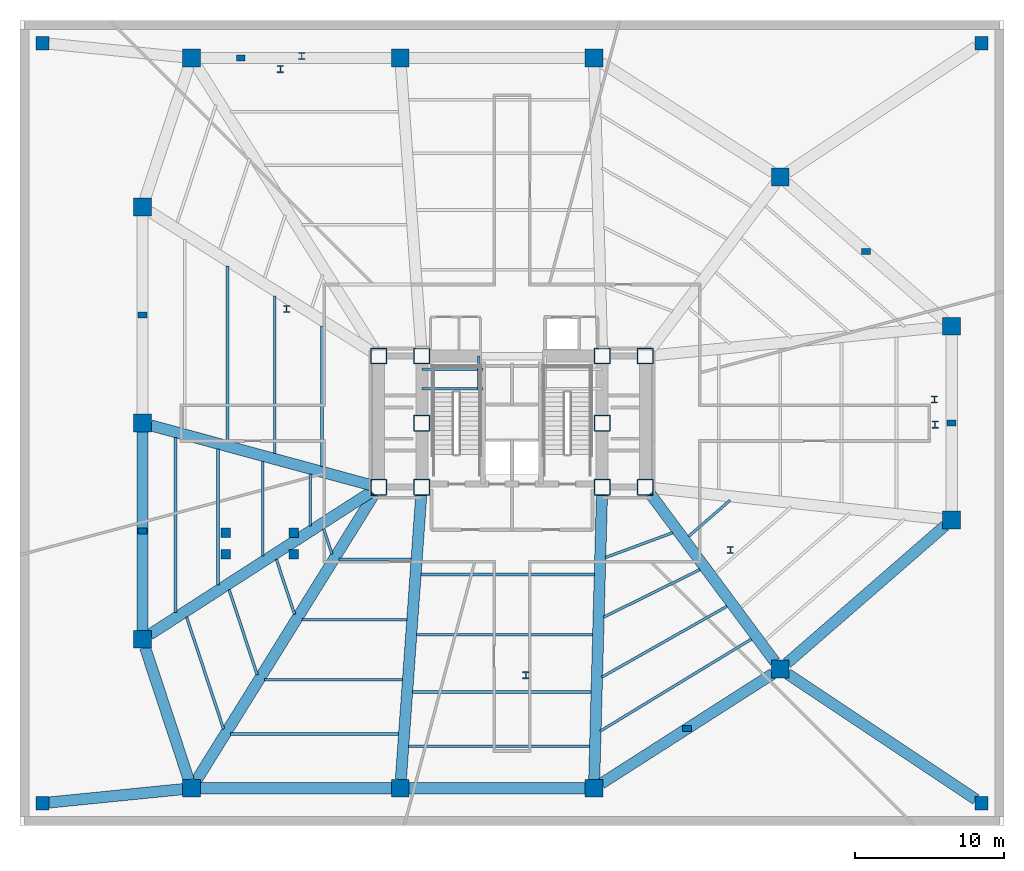
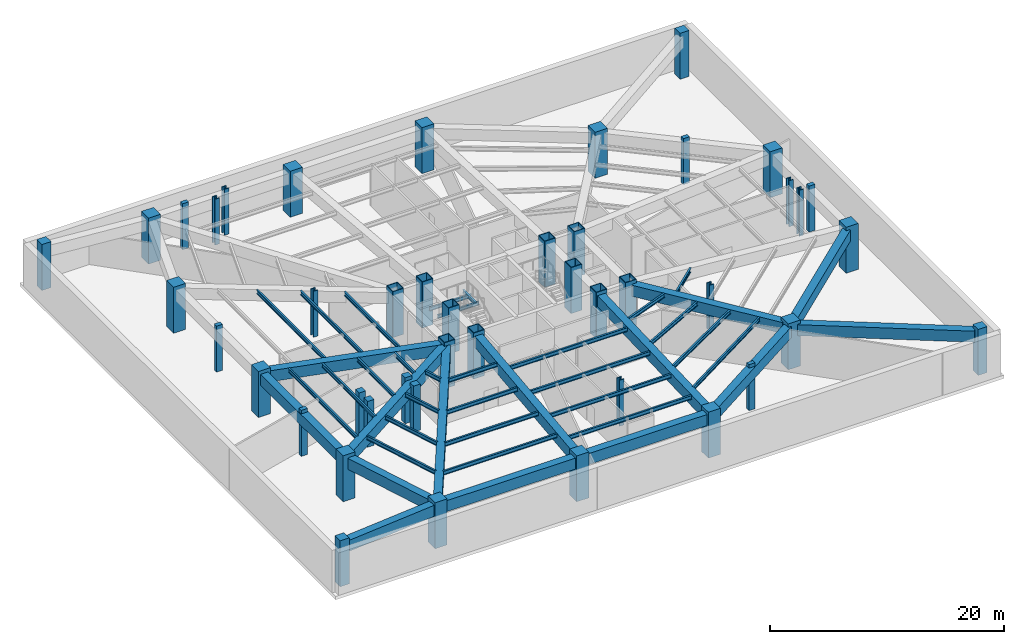
# One storey, part 1 of 6: 44 columns, 41 beams.
"""IFC4 building model written with IfcOpenShell, lengths in metres."""

from ifc_helpers import new_model, si_unit, direction, frame, origin, origin_2d, place, context, subcontext, project, spatial, rectangle, hollow_rectangle, i_section, extrude, material, material_profile, profile_set, type_object, element, save


model = new_model("IFC4")

# Units and contexts
model_context = context("Model", 3, precision=1e-05, world=origin(), true_north=direction((0.0, 1.0)))
body_context = subcontext(model_context, "Body", "Model", "MODEL_VIEW")
ifc_project = project(units=[si_unit("LENGTHUNIT", "METRE"), si_unit("AREAUNIT", "SQUARE_METRE"), si_unit("VOLUMEUNIT", "CUBIC_METRE"), si_unit("PLANEANGLEUNIT", "RADIAN"), si_unit("MASSUNIT", "GRAM", prefix="KILO")], contexts=[model_context])

# Site, building, storey
site_placement = place(None, origin())
site = spatial("IfcSite", under=ifc_project, at=site_placement, CompositionType="ELEMENT")
building_placement = place(site_placement, origin())
building = spatial("IfcBuilding", under=site, at=building_placement, Name="Rocaltana Carrier Exchange", CompositionType="ELEMENT")
storey_placement = place(building_placement, frame((0.0, 0.0, -4.800048828125)))
storey = spatial("IfcBuildingStorey", under=building, at=storey_placement, Name="Upper Basement", CompositionType="ELEMENT", Elevation=-4.800048828125)

# Columns
ifc_material_1 = material(Name="Concrete C50/60", Category="concrete")
ifc_material_profile_1 = material_profile(ifc_material_1, rectangle(XDim=0.89990234375, YDim=0.89990234375, at=origin_2d()), Name="RC-COL-900X900")
ifc_profile_set_1 = profile_set([ifc_material_profile_1], Name="Concrete C50/60")
column_type_1 = type_object("IfcColumnType", Name="Basement RC Column 900", PredefinedType="COLUMN", material=ifc_profile_set_1)
for number, where, z_axis, x_axis, name in (
    (1, (-31.5, -25.5, 0.0), (0.0, 0.0, 1.0), (1.0, 0.0, 0.0), "Upper Basement Basement Column BC01"),
    (2, (31.5, -25.5, 0.0), (0.0, 0.0, 1.0), (1.0, 0.0, 0.0), "Upper Basement Basement Column BC02"),
    (3, (31.5, 25.5, 0.0), (0.0, 0.0, 1.0), (1.0, 0.0, 0.0), "Upper Basement Basement Column BC03"),
    (4, (-31.5, 25.5, 0.0), (0.0, 0.0, 1.0), (1.0, 0.0, 0.0), "Upper Basement Basement Column BC04"),
):
    element("IfcColumn", number, at=place(storey_placement, frame(where, z_axis=z_axis, x_axis=x_axis)), inside=storey, type_object=column_type_1, Name=name, PredefinedType="COLUMN", context=body_context, shape_type="SweptSolid", body=[
        extrude(rectangle(XDim=0.89990234375, YDim=0.89990234375, at=origin_2d()), origin(), (0.0, 0.0, 1.0), 4.800048828125),
    ])
ifc_material_2 = material(Name="Concrete C60/75", Category="concrete")
ifc_material_profile_2 = material_profile(ifc_material_2, rectangle(XDim=0.60009765625, YDim=0.39990234375, at=origin_2d()), Name="RC-PIL-600X400")
ifc_profile_set_2 = profile_set([ifc_material_profile_2], Name="Concrete C60/75")
column_type_2 = type_object("IfcColumnType", Name="Concourse Boundary Pilaster 600x400", PredefinedType="PILASTER", material=ifc_profile_set_2)
for number, where, z_axis, x_axis, name in (
    (5, (11.75, -20.5, 0.0), (0.0, 0.0, 1.0), (1.0, 0.0, 0.0), "Upper Basement Concourse Pilaster PL01"),
    (6, (29.5, 0.0, 0.0), (0.0, 0.0, 1.0), (1.0, 0.0, 0.0), "Upper Basement Concourse Pilaster PL02"),
    (7, (-18.199951171875, 24.5, 0.0), (0.0, 0.0, 1.0), (1.0, 0.0, 0.0), "Upper Basement Concourse Pilaster PL03"),
    (8, (23.75, 11.5, 0.0), (0.0, 0.0, 1.0), (1.0, 0.0, 0.0), "Upper Basement Concourse Pilaster PL04"),
    (9, (-24.800048828125, 7.25, 0.0), (0.0, 0.0, 1.0), (1.0, 0.0, 0.0), "Upper Basement Concourse Pilaster PL05"),
    (10, (-24.800048828125, -7.25, 0.0), (0.0, 0.0, 1.0), (1.0, 0.0, 0.0), "Upper Basement Concourse Pilaster PL06"),
):
    element("IfcColumn", number, at=place(storey_placement, frame(where, z_axis=z_axis, x_axis=x_axis)), inside=storey, type_object=column_type_2, Name=name, PredefinedType="PILASTER", context=body_context, shape_type="SweptSolid", body=[
        extrude(rectangle(XDim=0.60009765625, YDim=0.39990234375, at=origin_2d()), origin(), (0.0, 0.0, 1.0), 4.800048828125),
    ])
ifc_material_3 = material(Name="Steel S460", Category="steel")
ifc_material_profile_3 = material_profile(ifc_material_3, hollow_rectangle(XDim=1.10009765625, YDim=1.10009765625, WallThickness=0.070068359375, InnerFilletRadius=0.02001953125, OuterFilletRadius=0.0400390625, at=origin_2d()), Name="BOX1100X1100X70")
ifc_profile_set_3 = profile_set([ifc_material_profile_3], Name="Steel S460")
column_type_3 = type_object("IfcColumnType", Name="Core Mega-Column BOX1100", PredefinedType="COLUMN", material=ifc_profile_set_3)
for number, where, z_axis, x_axis, name in (
    (11, (-6.050048828125, 4.5, 0.0), (0.0, 0.0, 1.0), (1.0, 0.0, 0.0), "Upper Basement Core Mega-Column MC1"),
    (12, (6.050048828125, 4.5, 0.0), (0.0, 0.0, 1.0), (1.0, 0.0, 0.0), "Upper Basement Core Mega-Column MC2"),
    (13, (-6.050048828125, 0.0, 0.0), (0.0, 0.0, 1.0), (1.0, 0.0, 0.0), "Upper Basement Core Mega-Column MC3"),
    (14, (6.050048828125, 0.0, 0.0), (0.0, 0.0, 1.0), (1.0, 0.0, 0.0), "Upper Basement Core Mega-Column MC4"),
    (15, (-6.050048828125, -4.300048828125, 0.0), (0.0, 0.0, 1.0), (1.0, 0.0, 0.0), "Upper Basement Core Mega-Column MC5"),
    (16, (6.050048828125, -4.300048828125, 0.0), (0.0, 0.0, 1.0), (1.0, 0.0, 0.0), "Upper Basement Core Mega-Column MC6"),
    (17, (-8.949951171875, 4.5, 0.0), (0.0, 0.0, 1.0), (1.0, 0.0, 0.0), "Upper Basement West Core Column WC1"),
    (18, (-8.949951171875, -4.300048828125, 0.0), (0.0, 0.0, 1.0), (1.0, 0.0, 0.0), "Upper Basement West Core Column WC2"),
    (19, (8.949951171875, 4.5, 0.0), (0.0, 0.0, 1.0), (1.0, 0.0, 0.0), "Upper Basement East Core Column EC1"),
    (20, (8.949951171875, -4.300048828125, 0.0), (0.0, 0.0, 1.0), (1.0, 0.0, 0.0), "Upper Basement East Core Column EC2"),
):
    element("IfcColumn", number, at=place(storey_placement, frame(where, z_axis=z_axis, x_axis=x_axis)), inside=storey, type_object=column_type_3, Name=name, PredefinedType="COLUMN", context=body_context, shape_type="SweptSolid", body=[
        extrude(hollow_rectangle(XDim=1.10009765625, YDim=1.10009765625, WallThickness=0.070068359375, InnerFilletRadius=0.02001953125, OuterFilletRadius=0.0400390625, at=origin_2d()), origin(), (0.0, 0.0, 1.0), 4.800048828125),
    ])
ifc_material_4 = material(Name="Steel S460", Category="steel")
ifc_material_profile_4 = material_profile(ifc_material_4, i_section(OverallWidth=0.431884765625, OverallDepth=0.498046875, WebThickness=0.0556640625, FlangeThickness=0.0888671875, FilletRadius=0.02490234375, at=origin_2d()), Name="W14X500")
ifc_profile_set_4 = profile_set([ifc_material_profile_4], Name="Steel S460")
column_type_4 = type_object("IfcColumnType", Name="Perimeter Column W14X500", PredefinedType="COLUMN", material=ifc_profile_set_4)
for number, where, z_axis, x_axis, name in (
    (21, (28.340576171875, 1.5849609375, 0.0), (0.0, 0.0, 1.0), (1.0, 0.0, 0.0), "Upper Basement Podium Tower Mega-Column PT01"),
    (22, (-14.106201171875, 24.631591796875, 0.0), (0.0, 0.0, 1.0), (1.0, 0.0, 0.0), "Upper Basement Podium Tower Mega-Column PT04"),
    (23, (-15.54296875, 23.751220703125, 0.0), (0.0, 0.0, 1.0), (1.0, 0.0, 0.0), "Upper Basement Podium Tower Mega-Column PT05"),
    (24, (-15.121337890625, 7.65673828125, 0.0), (0.0, 0.0, 1.0), (1.0, 0.0, 0.0), "Upper Basement Podium Tower Mega-Column PT06"),
    (25, (0.9296875, -16.923828125, 0.0), (0.0, 0.0, 1.0), (1.0, 0.0, 0.0), "Upper Basement Podium Tower Mega-Column PT10"),
    (26, (14.6572265625, -8.51171875, 0.0), (0.0, 0.0, 1.0), (1.0, 0.0, 0.0), "Upper Basement Podium Tower Mega-Column PT11"),
    (27, (28.384765625, -0.099609375, 0.0), (0.0, 0.0, 1.0), (1.0, 0.0, 0.0), "Upper Basement Podium Tower Mega-Column PT12"),
):
    element("IfcColumn", number, at=place(storey_placement, frame(where, z_axis=z_axis, x_axis=x_axis)), inside=storey, type_object=column_type_4, Name=name, PredefinedType="COLUMN", context=body_context, shape_type="SweptSolid", body=[
        extrude(i_section(OverallWidth=0.431884765625, OverallDepth=0.498046875, WebThickness=0.0556640625, FlangeThickness=0.0888671875, FilletRadius=0.02490234375, at=origin_2d()), origin(), (0.0, 0.0, 1.0), 4.800048828125),
    ])
ifc_material_5 = material(Name="Concrete C60/75", Category="concrete")
ifc_material_profile_5 = material_profile(ifc_material_5, rectangle(XDim=1.199951171875, YDim=1.199951171875, at=origin_2d()), Name="RC-COL-1200X1200")
ifc_profile_set_5 = profile_set([ifc_material_profile_5], Name="Concrete C60/75")
column_type_5 = type_object("IfcColumnType", Name="Podium RC Column 1200", PredefinedType="COLUMN", material=ifc_profile_set_5)
for number, where, z_axis, x_axis, name in (
    (28, (-21.5, -24.5, 0.0), (0.0, 0.0, 1.0), (1.0, 0.0, 0.0), "Upper Basement Podium Mega-Column PC01"),
    (29, (-7.5, -24.5, 0.0), (0.0, 0.0, 1.0), (1.0, 0.0, 0.0), "Upper Basement Podium Mega-Column PC02"),
    (30, (5.5, -24.5, 0.0), (0.0, 0.0, 1.0), (1.0, 0.0, 0.0), "Upper Basement Podium Mega-Column PC03"),
    (31, (18.0, -16.5, 0.0), (0.0, 0.0, 1.0), (1.0, 0.0, 0.0), "Upper Basement Podium Mega-Column PC04"),
    (32, (29.5, -6.5, 0.0), (0.0, 0.0, 1.0), (1.0, 0.0, 0.0), "Upper Basement Podium Mega-Column PC05"),
    (33, (29.5, 6.5, 0.0), (0.0, 0.0, 1.0), (1.0, 0.0, 0.0), "Upper Basement Podium Mega-Column PC06"),
    (34, (18.0, 16.5, 0.0), (0.0, 0.0, 1.0), (1.0, 0.0, 0.0), "Upper Basement Podium Mega-Column PC07"),
    (35, (5.5, 24.5, 0.0), (0.0, 0.0, 1.0), (1.0, 0.0, 0.0), "Upper Basement Podium Mega-Column PC08"),
    (36, (-7.5, 24.5, 0.0), (0.0, 0.0, 1.0), (1.0, 0.0, 0.0), "Upper Basement Podium Mega-Column PC09"),
    (37, (-21.5, 24.5, 0.0), (0.0, 0.0, 1.0), (1.0, 0.0, 0.0), "Upper Basement Podium Mega-Column PC10"),
    (38, (-24.800048828125, 14.5, 0.0), (0.0, 0.0, 1.0), (1.0, 0.0, 0.0), "Upper Basement Podium Mega-Column PC11"),
    (39, (-24.800048828125, 0.0, 0.0), (0.0, 0.0, 1.0), (1.0, 0.0, 0.0), "Upper Basement Podium Mega-Column PC13"),
    (40, (-24.800048828125, -14.5, 0.0), (0.0, 0.0, 1.0), (1.0, 0.0, 0.0), "Upper Basement Podium Mega-Column PC12"),
):
    element("IfcColumn", number, at=place(storey_placement, frame(where, z_axis=z_axis, x_axis=x_axis)), inside=storey, type_object=column_type_5, Name=name, PredefinedType="COLUMN", context=body_context, shape_type="SweptSolid", body=[
        extrude(rectangle(XDim=1.199951171875, YDim=1.199951171875, at=origin_2d()), origin(), (0.0, 0.0, 1.0), 4.800048828125),
    ])
ifc_material_6 = material(Name="Concrete C50/60", Category="concrete")
ifc_material_profile_6 = material_profile(ifc_material_6, rectangle(XDim=0.64990234375, YDim=0.64990234375, at=origin_2d()), Name="RC-COL-650X650")
ifc_profile_set_6 = profile_set([ifc_material_profile_6], Name="Concrete C50/60")
column_type_6 = type_object("IfcColumnType", Name="Stair Shaft RC Column 650", PredefinedType="COLUMN", material=ifc_profile_set_6)
for number, where, z_axis, x_axis, name in (
    (41, (-19.199951171875, -8.800048828125, 0.0), (0.0, 0.0, 1.0), (1.0, 0.0, 0.0), "Upper Basement Stair Shaft Column SC3A"),
    (42, (-14.64990234375, -8.800048828125, 0.0), (0.0, 0.0, 1.0), (1.0, 0.0, 0.0), "Upper Basement Stair Shaft Column SC3B"),
    (43, (-19.199951171875, -7.35009765625, 0.0), (0.0, 0.0, 1.0), (1.0, 0.0, 0.0), "Upper Basement Stair Shaft Column SC3C"),
    (44, (-14.64990234375, -7.35009765625, 0.0), (0.0, 0.0, 1.0), (1.0, 0.0, 0.0), "Upper Basement Stair Shaft Column SC3D"),
):
    element("IfcColumn", number, at=place(storey_placement, frame(where, z_axis=z_axis, x_axis=x_axis)), inside=storey, type_object=column_type_6, Name=name, PredefinedType="COLUMN", context=body_context, shape_type="SweptSolid", body=[
        extrude(rectangle(XDim=0.64990234375, YDim=0.64990234375, at=origin_2d()), origin(), (0.0, 0.0, 1.0), 4.800048828125),
    ])

# Beams
ifc_material_7 = material(Name="Concrete C50/60", Category="concrete")
ifc_material_profile_7 = material_profile(ifc_material_7, rectangle(XDim=0.75, YDim=1.14990234375, at=origin_2d()), Name="RC-BM-750X1150")
ifc_profile_set_7 = profile_set([ifc_material_profile_7], Name="Concrete C50/60")
beam_type_1 = type_object("IfcBeamType", Name="Basement RC Girder 750x1150", PredefinedType="BEAM", material=ifc_profile_set_7)
beam_1_placement = place(storey_placement, frame((-20.907958984375, -24.5, 3.863037109375), z_axis=(1.0, 0.0, 0.0), x_axis=(0.0, 1.0, 0.0)))
element("IfcBeam", 45, at=beam_1_placement, inside=storey, type_object=beam_type_1, Name="BM-PODR-01-Upper_Basement", PredefinedType="BEAM", context=body_context, shape_type="SweptSolid", body=[
    extrude(rectangle(XDim=0.75, YDim=1.14990234375, at=origin_2d()), origin(), (0.0, 0.0, 1.0), 12.81591796875),
])
beam_2_placement = place(storey_placement, frame((-6.907958984375, -24.5, 3.863037109375), z_axis=(1.0, 0.0, 0.0), x_axis=(0.0, 1.0, 0.0)))
element("IfcBeam", 46, at=beam_2_placement, inside=storey, type_object=beam_type_1, Name="BM-PODR-02-Upper_Basement", PredefinedType="BEAM", context=body_context, shape_type="SweptSolid", body=[
    extrude(rectangle(XDim=0.75, YDim=1.14990234375, at=origin_2d()), origin(), (0.0, 0.0, 1.0), 11.81591796875),
])
beam_3_placement = place(storey_placement, frame((5.99853515625, -24.180908203125, 3.863037109375), z_axis=(0.842273348616, 0.539050652733, 0.0), x_axis=(-0.539050652733, 0.842273348616, 0.0)))
element("IfcBeam", 47, at=beam_3_placement, inside=storey, type_object=beam_type_1, Name="BM-PODR-03-Upper_Basement", PredefinedType="BEAM", context=body_context, shape_type="SweptSolid", body=[
    extrude(rectangle(XDim=0.75, YDim=1.14990234375, at=origin_2d()), origin(), (0.0, 0.0, 1.0), 13.656982421875),
])
beam_4_placement = place(storey_placement, frame((18.44677734375, -16.111572265625, 3.863037109375), z_axis=(0.754600286985, 0.656184735331, 0.0), x_axis=(-0.656184735331, 0.754600286985, 0.0)))
element("IfcBeam", 48, at=beam_4_placement, inside=storey, type_object=beam_type_1, Name="BM-PODR-04-Upper_Basement", PredefinedType="BEAM", context=body_context, shape_type="SweptSolid", body=[
    extrude(rectangle(XDim=0.75, YDim=1.14990234375, at=origin_2d()), origin(), (0.0, 0.0, 1.0), 14.0556640625),
])
beam_5_placement = place(storey_placement, frame((-24.800048828125, -0.592041015625, 3.863037109375), z_axis=(0.0, -1.0, 0.0), x_axis=(1.0, 0.0, 0.0)))
element("IfcBeam", 49, at=beam_5_placement, inside=storey, type_object=beam_type_1, Name="BM-PODR-12-Upper_Basement", PredefinedType="BEAM", context=body_context, shape_type="SweptSolid", body=[
    extrude(rectangle(XDim=0.75, YDim=1.14990234375, at=origin_2d()), origin(), (0.0, 0.0, 1.0), 13.31591796875),
])
beam_6_placement = place(storey_placement, frame((-24.614501953125, -15.062255859375, 3.863037109375), z_axis=(0.313381694349, -0.949627249844, 0.0), x_axis=(0.949627249844, 0.313381694349, 0.0)))
element("IfcBeam", 50, at=beam_6_placement, inside=storey, type_object=beam_type_1, Name="BM-PODR-13-Upper_Basement", PredefinedType="BEAM", context=body_context, shape_type="SweptSolid", body=[
    extrude(rectangle(XDim=0.75, YDim=1.14990234375, at=origin_2d()), origin(), (0.0, 0.0, 1.0), 9.34619140625),
])
beam_7_placement = place(storey_placement, frame((-9.236083984375, -4.760498046875, 3.863037109375), z_axis=(-0.527728575454, -0.849413062443, 0.0), x_axis=(0.849413062443, -0.527728575454, 0.0)))
element("IfcBeam", 51, at=beam_7_placement, inside=storey, type_object=beam_type_1, Name="BM-PODG-01-Upper_Basement", PredefinedType="BEAM", context=body_context, shape_type="SweptSolid", body=[
    extrude(rectangle(XDim=0.75, YDim=1.14990234375, at=origin_2d()), origin(), (0.0, 0.0, 1.0), 22.64697265625),
])
beam_8_placement = place(storey_placement, frame((-6.0888671875, -4.840576171875, 3.863037109375), z_axis=(-0.071590092628, -0.997434137494, 0.0), x_axis=(0.997434137494, -0.071590092628, 0.0)))
element("IfcBeam", 52, at=beam_8_placement, inside=storey, type_object=beam_type_1, Name="BM-PODG-02-Upper_Basement", PredefinedType="BEAM", context=body_context, shape_type="SweptSolid", body=[
    extrude(rectangle(XDim=0.75, YDim=1.14990234375, at=origin_2d()), origin(), (0.0, 0.0, 1.0), 19.117919921875),
])
beam_9_placement = place(storey_placement, frame((6.03515625, -4.841796875, 3.863037109375), z_axis=(-0.027212823481, -0.999629662544, 0.0), x_axis=(0.999629662544, -0.027212823481, 0.0)))
element("IfcBeam", 53, at=beam_9_placement, inside=storey, type_object=beam_type_1, Name="BM-PODG-03-Upper_Basement", PredefinedType="BEAM", context=body_context, shape_type="SweptSolid", body=[
    extrude(rectangle(XDim=0.75, YDim=1.14990234375, at=origin_2d()), origin(), (0.0, 0.0, 1.0), 19.073486328125),
])
beam_10_placement = place(storey_placement, frame((9.27294921875, -4.7353515625, 3.863037109375), z_axis=(0.595778622858, -0.8031486989, 0.0), x_axis=(0.8031486989, 0.595778622858, 0.0)))
element("IfcBeam", 54, at=beam_10_placement, inside=storey, type_object=beam_type_1, Name="BM-PODG-04-Upper_Basement", PredefinedType="BEAM", context=body_context, shape_type="SweptSolid", body=[
    extrude(rectangle(XDim=0.75, YDim=1.14990234375, at=origin_2d()), origin(), (0.0, 0.0, 1.0), 14.055908203125),
])
beam_11_placement = place(storey_placement, frame((-9.47314453125, -4.158203125, 3.863037109375), z_axis=(-0.965113043387, 0.261833560655, 0.0), x_axis=(-0.261833560655, -0.965113043387, 0.0)))
element("IfcBeam", 55, at=beam_11_placement, inside=storey, type_object=beam_type_1, Name="BM-PODG-12-Upper_Basement", PredefinedType="BEAM", context=body_context, shape_type="SweptSolid", body=[
    extrude(rectangle(XDim=0.75, YDim=1.14990234375, at=origin_2d()), origin(), (0.0, 0.0, 1.0), 15.2890625),
])
beam_12_placement = place(storey_placement, frame((-9.40576171875, -4.59326171875, 3.863037109375), z_axis=(-0.840918660991, -0.541161533737, 0.0), x_axis=(0.541161533737, -0.840918660991, 0.0)))
element("IfcBeam", 56, at=beam_12_placement, inside=storey, type_object=beam_type_1, Name="BM-PODG-13-Upper_Basement", PredefinedType="BEAM", context=body_context, shape_type="SweptSolid", body=[
    extrude(rectangle(XDim=0.75, YDim=1.14990234375, at=origin_2d()), origin(), (0.0, 0.0, 1.0), 17.714599609375),
])
beam_13_placement = place(storey_placement, frame((-22.089111328125, -24.558837890625, 3.863037109375), z_axis=(-0.995036117726, -0.099514443277, 0.0), x_axis=(0.099514443277, -0.995036117726, 0.0)))
element("IfcBeam", 57, at=beam_13_placement, inside=storey, type_object=beam_type_1, Name="BM-BSUB-1-Upper_Basement", PredefinedType="BEAM", context=body_context, shape_type="SweptSolid", body=[
    extrude(rectangle(XDim=0.75, YDim=1.14990234375, at=origin_2d()), origin(), (0.0, 0.0, 1.0), 9.015869140625),
])
beam_14_placement = place(storey_placement, frame((18.49267578125, -16.828369140625, 3.863037109375), z_axis=(0.832042876601, -0.554711322669, 0.0), x_axis=(0.554711322669, 0.832042876601, 0.0)))
element("IfcBeam", 58, at=beam_14_placement, inside=storey, type_object=beam_type_1, Name="BM-BSUB-2-Upper_Basement", PredefinedType="BEAM", context=body_context, shape_type="SweptSolid", body=[
    extrude(rectangle(XDim=0.75, YDim=1.14990234375, at=origin_2d()), origin(), (0.0, 0.0, 1.0), 15.19091796875),
])
ifc_material_8 = material(Name="Steel S355", Category="steel")
ifc_material_profile_8 = material_profile(ifc_material_8, i_section(OverallWidth=0.172119140625, OverallDepth=0.35791015625, WebThickness=0.0078125, FlangeThickness=0.01318359375, FilletRadius=0.011962890625, at=origin_2d()), Name="W14X38")
ifc_profile_set_8 = profile_set([ifc_material_profile_8], Name="Steel S355")
beam_type_2 = type_object("IfcBeamType", Name="Floor Joist W14X38", PredefinedType="JOIST", material=ifc_profile_set_8)
for number, where, z_axis, x_axis, name in (
    (59, (-6.050048828125, 2.300048828125, 2.02099609375), (1.0, 0.0, 0.0), (0.0, 1.0, 0.0), "Upper Basement ST-1 Landing Carrier 1"),
    (60, (-6.050048828125, 3.60009765625, 2.02099609375), (1.0, 0.0, 0.0), (0.0, 1.0, 0.0), "Upper Basement ST-1 Landing Carrier 2"),
):
    element("IfcBeam", number, at=place(storey_placement, frame(where, z_axis=z_axis, x_axis=x_axis)), inside=storey, type_object=beam_type_2, Name=name, PredefinedType="JOIST", context=body_context, shape_type="SweptSolid", body=[
        extrude(i_section(OverallWidth=0.172119140625, OverallDepth=0.35791015625, WebThickness=0.0078125, FlangeThickness=0.01318359375, FilletRadius=0.011962890625, at=origin_2d()), origin(), (0.0, 0.0, 1.0), 4.110107421875),
    ])
beam_15_placement = place(storey_placement, frame((-2.219970703125, 2.300048828125, 2.02099609375), z_axis=(0.0, 1.0, 0.0), x_axis=(-1.0, 0.0, 0.0)))
element("IfcBeam", 61, at=beam_15_placement, inside=storey, type_object=beam_type_2, Name="Upper Basement ST-1 Landing Cross Trimmer", PredefinedType="JOIST", context=body_context, shape_type="SweptSolid", body=[
    extrude(i_section(OverallWidth=0.172119140625, OverallDepth=0.35791015625, WebThickness=0.0078125, FlangeThickness=0.01318359375, FilletRadius=0.011962890625, at=origin_2d()), origin(), (0.0, 0.0, 1.0), 2.199951171875),
])
ifc_material_9 = material(Name="Steel S355", Category="steel")
ifc_material_profile_9 = material_profile(ifc_material_9, i_section(OverallWidth=0.179931640625, OverallDepth=0.4130859375, WebThickness=0.009765625, FlangeThickness=0.01611328125, FilletRadius=0.012939453125, at=origin_2d()), Name="W16X50")
ifc_profile_set_9 = profile_set([ifc_material_profile_9], Name="Steel S355")
beam_type_3 = type_object("IfcBeamType", Name="Floor Joist W16X50", PredefinedType="JOIST", material=ifc_profile_set_9)
beam_16_placement = place(storey_placement, frame((-11.593017578125, -9.14794921875, 4.2314453125), z_axis=(1.0, 0.0, 0.0), x_axis=(0.0, 1.0, 0.0)))
element("IfcBeam", 62, at=beam_16_placement, inside=storey, type_object=beam_type_3, Name="FJ-POD-01-1-Upper_Basement", PredefinedType="JOIST", context=body_context, shape_type="SweptSolid", body=[
    extrude(i_section(OverallWidth=0.179931640625, OverallDepth=0.4130859375, WebThickness=0.009765625, FlangeThickness=0.01611328125, FilletRadius=0.012939453125, at=origin_2d()), origin(), (0.0, 0.0, 1.0), 4.825927734375),
])
beam_17_placement = place(storey_placement, frame((-14.10302734375, -13.18798828125, 4.2314453125), z_axis=(1.0, 0.0, 0.0), x_axis=(0.0, 1.0, 0.0)))
element("IfcBeam", 63, at=beam_17_placement, inside=storey, type_object=beam_type_3, Name="FJ-POD-01-2-Upper_Basement", PredefinedType="JOIST", context=body_context, shape_type="SweptSolid", body=[
    extrude(i_section(OverallWidth=0.179931640625, OverallDepth=0.4130859375, WebThickness=0.009765625, FlangeThickness=0.01611328125, FilletRadius=0.012939453125, at=origin_2d()), origin(), (0.0, 0.0, 1.0), 7.046142578125),
])
beam_18_placement = place(storey_placement, frame((-16.613037109375, -17.22802734375, 4.2314453125), z_axis=(1.0, 0.0, 0.0), x_axis=(0.0, 1.0, 0.0)))
element("IfcBeam", 64, at=beam_18_placement, inside=storey, type_object=beam_type_3, Name="FJ-POD-01-3-Upper_Basement", PredefinedType="JOIST", context=body_context, shape_type="SweptSolid", body=[
    extrude(i_section(OverallWidth=0.179931640625, OverallDepth=0.4130859375, WebThickness=0.009765625, FlangeThickness=0.01611328125, FilletRadius=0.012939453125, at=origin_2d()), origin(), (0.0, 0.0, 1.0), 9.26611328125),
])
beam_19_placement = place(storey_placement, frame((-18.8720703125, -20.864013671875, 4.2314453125), z_axis=(1.0, 0.0, 0.0), x_axis=(0.0, 1.0, 0.0)))
element("IfcBeam", 65, at=beam_19_placement, inside=storey, type_object=beam_type_3, Name="FJ-POD-01-4-Upper_Basement", PredefinedType="JOIST", context=body_context, shape_type="SweptSolid", body=[
    extrude(i_section(OverallWidth=0.179931640625, OverallDepth=0.4130859375, WebThickness=0.009765625, FlangeThickness=0.01611328125, FilletRadius=0.012939453125, at=origin_2d()), origin(), (0.0, 0.0, 1.0), 11.26416015625),
])
beam_20_placement = place(storey_placement, frame((-6.1015625, -10.157958984375, 4.2314453125), z_axis=(1.0, 0.0, 0.0), x_axis=(0.0, 1.0, 0.0)))
element("IfcBeam", 66, at=beam_20_placement, inside=storey, type_object=beam_type_3, Name="FJ-POD-02-1-Upper_Basement", PredefinedType="JOIST", context=body_context, shape_type="SweptSolid", body=[
    extrude(i_section(OverallWidth=0.179931640625, OverallDepth=0.4130859375, WebThickness=0.009765625, FlangeThickness=0.01611328125, FilletRadius=0.012939453125, at=origin_2d()), origin(), (0.0, 0.0, 1.0), 11.623046875),
])
beam_21_placement = place(storey_placement, frame((-6.3916015625, -14.197998046875, 4.2314453125), z_axis=(1.0, 0.0, 0.0), x_axis=(0.0, 1.0, 0.0)))
element("IfcBeam", 67, at=beam_21_placement, inside=storey, type_object=beam_type_3, Name="FJ-POD-02-2-Upper_Basement", PredefinedType="JOIST", context=body_context, shape_type="SweptSolid", body=[
    extrude(i_section(OverallWidth=0.179931640625, OverallDepth=0.4130859375, WebThickness=0.009765625, FlangeThickness=0.01611328125, FilletRadius=0.012939453125, at=origin_2d()), origin(), (0.0, 0.0, 1.0), 11.80322265625),
])
beam_22_placement = place(storey_placement, frame((-6.6669921875, -18.035888671875, 4.2314453125), z_axis=(1.0, 0.0, 0.0), x_axis=(0.0, 1.0, 0.0)))
element("IfcBeam", 68, at=beam_22_placement, inside=storey, type_object=beam_type_3, Name="FJ-POD-02-3-Upper_Basement", PredefinedType="JOIST", context=body_context, shape_type="SweptSolid", body=[
    extrude(i_section(OverallWidth=0.179931640625, OverallDepth=0.4130859375, WebThickness=0.009765625, FlangeThickness=0.01611328125, FilletRadius=0.012939453125, at=origin_2d()), origin(), (0.0, 0.0, 1.0), 11.973876953125),
])
beam_23_placement = place(storey_placement, frame((-6.927978515625, -21.672119140625, 4.2314453125), z_axis=(1.0, 0.0, 0.0), x_axis=(0.0, 1.0, 0.0)))
element("IfcBeam", 69, at=beam_23_placement, inside=storey, type_object=beam_type_3, Name="FJ-POD-02-4-Upper_Basement", PredefinedType="JOIST", context=body_context, shape_type="SweptSolid", body=[
    extrude(i_section(OverallWidth=0.179931640625, OverallDepth=0.4130859375, WebThickness=0.009765625, FlangeThickness=0.01611328125, FilletRadius=0.012939453125, at=origin_2d()), origin(), (0.0, 0.0, 1.0), 12.135986328125),
])
beam_24_placement = place(storey_placement, frame((6.26416015625, -9.020263671875, 4.2314453125), z_axis=(0.93818526809, 0.346133504212, 0.0), x_axis=(-0.346133504212, 0.93818526809, 0.0)))
element("IfcBeam", 70, at=beam_24_placement, inside=storey, type_object=beam_type_3, Name="FJ-POD-03-1-Upper_Basement", PredefinedType="JOIST", context=body_context, shape_type="SweptSolid", body=[
    extrude(i_section(OverallWidth=0.179931640625, OverallDepth=0.4130859375, WebThickness=0.009765625, FlangeThickness=0.01611328125, FilletRadius=0.012939453125, at=origin_2d()), origin(), (0.0, 0.0, 1.0), 4.80908203125),
])
beam_25_placement = place(storey_placement, frame((6.138916015625, -13.0244140625, 4.2314453125), z_axis=(0.896544122613, 0.44295444033, 0.0), x_axis=(-0.44295444033, 0.896544122613, 0.0)))
element("IfcBeam", 71, at=beam_25_placement, inside=storey, type_object=beam_type_3, Name="FJ-POD-03-2-Upper_Basement", PredefinedType="JOIST", context=body_context, shape_type="SweptSolid", body=[
    extrude(i_section(OverallWidth=0.179931640625, OverallDepth=0.4130859375, WebThickness=0.009765625, FlangeThickness=0.01611328125, FilletRadius=0.012939453125, at=origin_2d()), origin(), (0.0, 0.0, 1.0), 7.2080078125),
])
beam_26_placement = place(storey_placement, frame((6.01904296875, -17.046142578125, 4.2314453125), z_axis=(0.870231082695, 0.492643748273, 0.0), x_axis=(-0.492643748273, 0.870231082695, 0.0)))
element("IfcBeam", 72, at=beam_26_placement, inside=storey, type_object=beam_type_3, Name="FJ-POD-03-3-Upper_Basement", PredefinedType="JOIST", context=body_context, shape_type="SweptSolid", body=[
    extrude(i_section(OverallWidth=0.179931640625, OverallDepth=0.4130859375, WebThickness=0.009765625, FlangeThickness=0.01611328125, FilletRadius=0.012939453125, at=origin_2d()), origin(), (0.0, 0.0, 1.0), 9.65478515625),
])
beam_27_placement = place(storey_placement, frame((5.914306640625, -20.672119140625, 4.2314453125), z_axis=(0.854081807354, 0.520138699144, 0.0), x_axis=(-0.520138699144, 0.854081807354, 0.0)))
element("IfcBeam", 73, at=beam_27_placement, inside=storey, type_object=beam_type_3, Name="FJ-POD-03-4-Upper_Basement", PredefinedType="JOIST", context=body_context, shape_type="SweptSolid", body=[
    extrude(i_section(OverallWidth=0.179931640625, OverallDepth=0.4130859375, WebThickness=0.009765625, FlangeThickness=0.01611328125, FilletRadius=0.012939453125, at=origin_2d()), origin(), (0.0, 0.0, 1.0), 11.874267578125),
])
beam_28_placement = place(storey_placement, frame((11.852783203125, -7.595947265625, 4.2314453125), z_axis=(0.754626935652, 0.656154088601, 0.0), x_axis=(-0.656154088601, 0.754626935652, 0.0)))
element("IfcBeam", 74, at=beam_28_placement, inside=storey, type_object=beam_type_3, Name="FJ-POD-04-1-Upper_Basement", PredefinedType="JOIST", context=body_context, shape_type="SweptSolid", body=[
    extrude(i_section(OverallWidth=0.179931640625, OverallDepth=0.4130859375, WebThickness=0.009765625, FlangeThickness=0.01611328125, FilletRadius=0.012939453125, at=origin_2d()), origin(), (0.0, 0.0, 1.0), 3.681640625),
])
beam_29_placement = place(storey_placement, frame((-12.75390625, 6.531005859375, 4.2314453125), z_axis=(0.0, -1.0, 0.0), x_axis=(1.0, 0.0, 0.0)))
element("IfcBeam", 75, at=beam_29_placement, inside=storey, type_object=beam_type_3, Name="FJ-POD-11-1-Upper_Basement", PredefinedType="JOIST", context=body_context, shape_type="SweptSolid", body=[
    extrude(i_section(OverallWidth=0.179931640625, OverallDepth=0.4130859375, WebThickness=0.009765625, FlangeThickness=0.01611328125, FilletRadius=0.012939453125, at=origin_2d()), origin(), (0.0, 0.0, 1.0), 9.429931640625),
])
beam_30_placement = place(storey_placement, frame((-15.924072265625, 8.531005859375, 4.2314453125), z_axis=(0.0, -1.0, 0.0), x_axis=(1.0, 0.0, 0.0)))
element("IfcBeam", 76, at=beam_30_placement, inside=storey, type_object=beam_type_3, Name="FJ-POD-11-2-Upper_Basement", PredefinedType="JOIST", context=body_context, shape_type="SweptSolid", body=[
    extrude(i_section(OverallWidth=0.179931640625, OverallDepth=0.4130859375, WebThickness=0.009765625, FlangeThickness=0.01611328125, FilletRadius=0.012939453125, at=origin_2d()), origin(), (0.0, 0.0, 1.0), 10.570068359375),
])
beam_31_placement = place(storey_placement, frame((-19.093994140625, 10.531005859375, 4.2314453125), z_axis=(0.0, -1.0, 0.0), x_axis=(1.0, 0.0, 0.0)))
element("IfcBeam", 77, at=beam_31_placement, inside=storey, type_object=beam_type_3, Name="FJ-POD-11-3-Upper_Basement", PredefinedType="JOIST", context=body_context, shape_type="SweptSolid", body=[
    extrude(i_section(OverallWidth=0.179931640625, OverallDepth=0.4130859375, WebThickness=0.009765625, FlangeThickness=0.01611328125, FilletRadius=0.012939453125, at=origin_2d()), origin(), (0.0, 0.0, 1.0), 11.7099609375),
])
beam_32_placement = place(storey_placement, frame((-13.54638671875, -3.422119140625, 4.2314453125), z_axis=(0.0, -1.0, 0.0), x_axis=(1.0, 0.0, 0.0)))
element("IfcBeam", 78, at=beam_32_placement, inside=storey, type_object=beam_type_3, Name="FJ-POD-12-1-Upper_Basement", PredefinedType="JOIST", context=body_context, shape_type="SweptSolid", body=[
    extrude(i_section(OverallWidth=0.179931640625, OverallDepth=0.4130859375, WebThickness=0.009765625, FlangeThickness=0.01611328125, FilletRadius=0.012939453125, at=origin_2d()), origin(), (0.0, 0.0, 1.0), 3.466796875),
])
beam_33_placement = place(storey_placement, frame((-16.716552734375, -2.56201171875, 4.2314453125), z_axis=(0.0, -1.0, 0.0), x_axis=(1.0, 0.0, 0.0)))
element("IfcBeam", 79, at=beam_33_placement, inside=storey, type_object=beam_type_3, Name="FJ-POD-12-2-Upper_Basement", PredefinedType="JOIST", context=body_context, shape_type="SweptSolid", body=[
    extrude(i_section(OverallWidth=0.179931640625, OverallDepth=0.4130859375, WebThickness=0.009765625, FlangeThickness=0.01611328125, FilletRadius=0.012939453125, at=origin_2d()), origin(), (0.0, 0.0, 1.0), 6.366943359375),
])
beam_34_placement = place(storey_placement, frame((-19.72802734375, -1.7451171875, 4.2314453125), z_axis=(0.0, -1.0, 0.0), x_axis=(1.0, 0.0, 0.0)))
element("IfcBeam", 80, at=beam_34_placement, inside=storey, type_object=beam_type_3, Name="FJ-POD-12-3-Upper_Basement", PredefinedType="JOIST", context=body_context, shape_type="SweptSolid", body=[
    extrude(i_section(OverallWidth=0.179931640625, OverallDepth=0.4130859375, WebThickness=0.009765625, FlangeThickness=0.01611328125, FilletRadius=0.012939453125, at=origin_2d()), origin(), (0.0, 0.0, 1.0), 9.121826171875),
])
beam_35_placement = place(storey_placement, frame((-22.5810546875, -0.970947265625, 4.2314453125), z_axis=(0.0, -1.0, 0.0), x_axis=(1.0, 0.0, 0.0)))
element("IfcBeam", 81, at=beam_35_placement, inside=storey, type_object=beam_type_3, Name="FJ-POD-12-4-Upper_Basement", PredefinedType="JOIST", context=body_context, shape_type="SweptSolid", body=[
    extrude(i_section(OverallWidth=0.179931640625, OverallDepth=0.4130859375, WebThickness=0.009765625, FlangeThickness=0.01611328125, FilletRadius=0.012939453125, at=origin_2d()), origin(), (0.0, 0.0, 1.0), 11.73193359375),
])
beam_36_placement = place(storey_placement, frame((-12.638427734375, -7.098388671875, 4.2314453125), z_axis=(0.31340206222, -0.949620528104, 0.0), x_axis=(0.949620528104, 0.31340206222, 0.0)))
element("IfcBeam", 82, at=beam_36_placement, inside=storey, type_object=beam_type_3, Name="FJ-POD-13-1-Upper_Basement", PredefinedType="JOIST", context=body_context, shape_type="SweptSolid", body=[
    extrude(i_section(OverallWidth=0.179931640625, OverallDepth=0.4130859375, WebThickness=0.009765625, FlangeThickness=0.01611328125, FilletRadius=0.012939453125, at=origin_2d()), origin(), (0.0, 0.0, 1.0), 1.789306640625),
])
beam_37_placement = place(storey_placement, frame((-15.808349609375, -9.138427734375, 4.2314453125), z_axis=(0.313368411184, -0.949631633252, 0.0), x_axis=(0.949631633252, 0.313368411184, 0.0)))
element("IfcBeam", 83, at=beam_37_placement, inside=storey, type_object=beam_type_3, Name="FJ-POD-13-2-Upper_Basement", PredefinedType="JOIST", context=body_context, shape_type="SweptSolid", body=[
    extrude(i_section(OverallWidth=0.179931640625, OverallDepth=0.4130859375, WebThickness=0.009765625, FlangeThickness=0.01611328125, FilletRadius=0.012939453125, at=origin_2d()), origin(), (0.0, 0.0, 1.0), 3.8955078125),
])
beam_38_placement = place(storey_placement, frame((-18.978515625, -11.178466796875, 4.2314453125), z_axis=(0.313395062746, -0.949622838103, 0.0), x_axis=(0.949622838103, 0.313395062746, 0.0)))
element("IfcBeam", 84, at=beam_38_placement, inside=storey, type_object=beam_type_3, Name="FJ-POD-13-3-Upper_Basement", PredefinedType="JOIST", context=body_context, shape_type="SweptSolid", body=[
    extrude(i_section(OverallWidth=0.179931640625, OverallDepth=0.4130859375, WebThickness=0.009765625, FlangeThickness=0.01611328125, FilletRadius=0.012939453125, at=origin_2d()), origin(), (0.0, 0.0, 1.0), 6.00146484375),
])
beam_39_placement = place(storey_placement, frame((-21.831298828125, -13.014404296875, 4.2314453125), z_axis=(0.31336044765, -0.949634261097, 0.0), x_axis=(0.949634261097, 0.31336044765, 0.0)))
element("IfcBeam", 85, at=beam_39_placement, inside=storey, type_object=beam_type_3, Name="FJ-POD-13-4-Upper_Basement", PredefinedType="JOIST", context=body_context, shape_type="SweptSolid", body=[
    extrude(i_section(OverallWidth=0.179931640625, OverallDepth=0.4130859375, WebThickness=0.009765625, FlangeThickness=0.01611328125, FilletRadius=0.012939453125, at=origin_2d()), origin(), (0.0, 0.0, 1.0), 7.89697265625),
])

save(model, "model.ifc")
